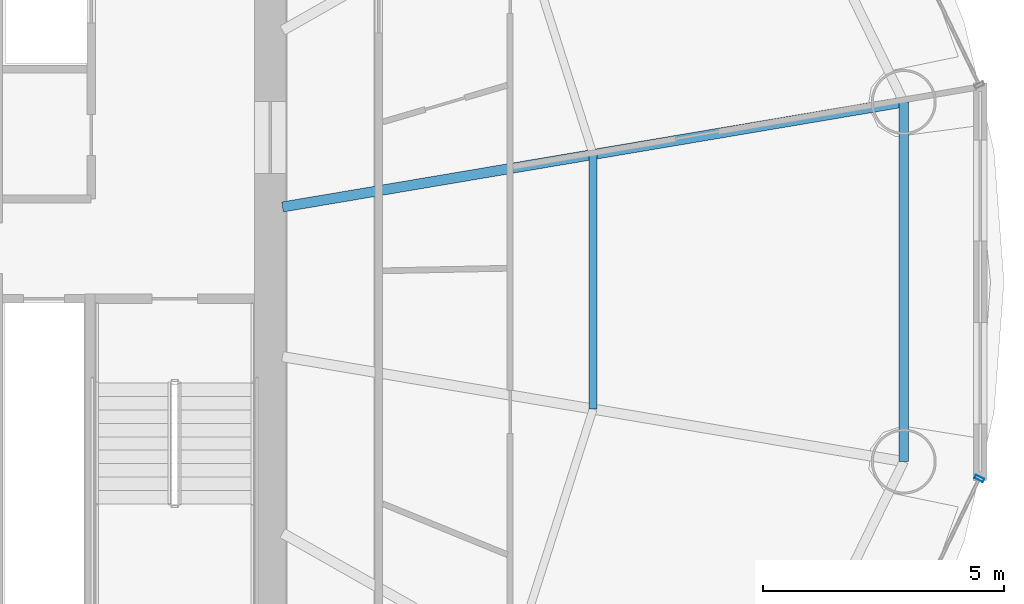
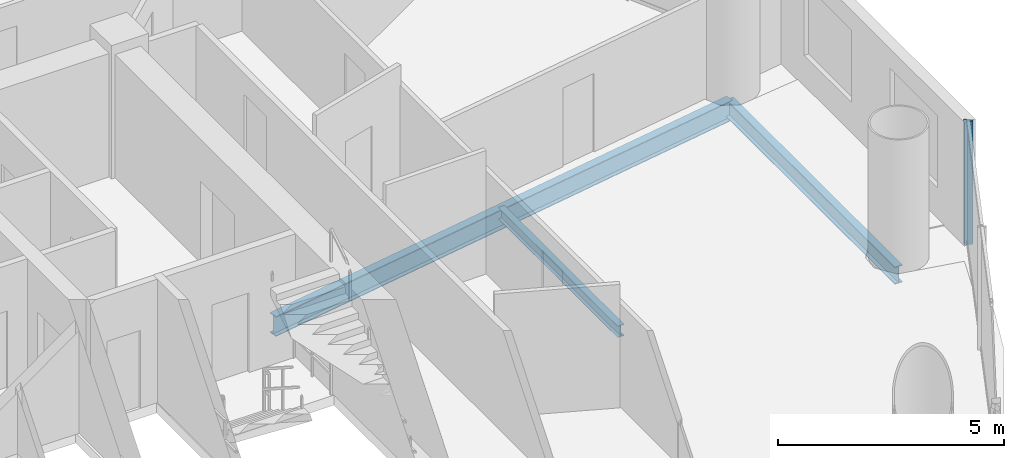
# One storey, part 12 of 27: 3 beams, 1 member, 1 element without a shape of its own.
"""IFC4 building model written with IfcOpenShell, lengths in metres."""

import ifcopenshell
import ifcopenshell.guid

model = None  # the IFC model being written
_history = None  # IfcOwnerHistory: only IFC2X3 demands one
_inside = {}  # id of a spatial element -> (the spatial element, [elements in it])
_under = {}  # id of a project, library or spatial element -> (it, [spatial elements below it])
_declared = {}  # id of a project -> (the project, [libraries it declares])
_typed = {}  # id of a type object -> (the type object, [elements of that type])
_made_of = {}  # id of a material, layer set ... -> (it, [elements and type objects made of it])


def new_model(schema):
    """Start an empty IFC model of exactly this schema.

    Asked for "IFC4X3", IfcOpenShell would pick the latest addendum, in which some entities
    have other attributes; the version numbers below select the first issue.
    IFC2X3 requires an IfcOwnerHistory on every rooted entity: one is made here for all.
    """
    global model, _history
    if schema == "IFC4X3":
        model = ifcopenshell.file(schema_version=(4, 3, 0, 0))
    else:
        model = ifcopenshell.file(schema=schema)
    _inside.clear()
    _under.clear()
    _declared.clear()
    _typed.clear()
    _made_of.clear()
    _history = None
    if model.schema == "IFC2X3":
        org = make("IfcOrganization", Name="unknown")
        user = make(
            "IfcPersonAndOrganization",
            ThePerson=make("IfcPerson", FamilyName="unknown"),
            TheOrganization=org,
        )
        app = make(
            "IfcApplication",
            ApplicationDeveloper=org,
            Version="unknown",
            ApplicationFullName="unknown",
            ApplicationIdentifier="unknown",
        )
        _history = make(
            "IfcOwnerHistory",
            OwningUser=user,
            OwningApplication=app,
            ChangeAction="ADDED",
            CreationDate=0,
        )
    return model


def make(cls, **values):
    """One entity of the class cls with the attributes given. An attribute that is None is left unset."""
    return model.create_entity(
        cls, **{name: value for name, value in values.items() if value is not None}
    )


def rooted(cls, **values):
    """An entity with a GlobalId (a new one), such as an element, a storey or a relation."""
    return make(cls, GlobalId=ifcopenshell.guid.new(), OwnerHistory=_history, **values)


def si_unit(unit_type, name, prefix=None):
    """IfcSIUnit, for example si_unit("LENGTHUNIT", "METRE", prefix="MILLI")."""
    return make("IfcSIUnit", UnitType=unit_type, Prefix=prefix, Name=name)


def assignment(units):
    """IfcUnitAssignment: the units of a project."""
    return None if units is None else make("IfcUnitAssignment", Units=units)


def point(xyz):
    """IfcCartesianPoint."""
    return None if xyz is None else make("IfcCartesianPoint", Coordinates=xyz)


def direction(xyz):
    """IfcDirection."""
    return None if xyz is None else make("IfcDirection", DirectionRatios=xyz)


def frame(location, z_axis=None, x_axis=None):
    """IfcAxis2Placement3D, a coordinate frame: its origin and axes. An axis left out is left unset."""
    return make(
        "IfcAxis2Placement3D",
        Location=point(location),
        Axis=direction(z_axis),
        RefDirection=direction(x_axis),
    )


def frame_2d(location, x_axis=None):
    """IfcAxis2Placement2D, a coordinate frame in the plane: its origin and x axis."""
    return make(
        "IfcAxis2Placement2D", Location=point(location), RefDirection=direction(x_axis)
    )


def origin():
    """The frame at (0, 0, 0) with its axes left unset."""
    return frame((0.0, 0.0, 0.0))


def origin_2d():
    """The frame at (0, 0) in the plane with its x axis left unset."""
    return frame_2d((0.0, 0.0))


def place(relative_to, where):
    """IfcLocalPlacement: puts the frame where relative to a parent placement (None: the world)."""
    return make(
        "IfcLocalPlacement", PlacementRelTo=relative_to, RelativePlacement=where
    )


def context(
    kind, dimensions, precision=None, world=None, true_north=None, identifier=None
):
    """IfcGeometricRepresentationContext, for example the 3D "Model" context."""
    return make(
        "IfcGeometricRepresentationContext",
        ContextIdentifier=identifier,
        ContextType=kind,
        CoordinateSpaceDimension=dimensions,
        Precision=precision,
        WorldCoordinateSystem=world,
        TrueNorth=true_north,
    )


def subcontext(parent, identifier, kind, view, scale=None):
    """IfcGeometricRepresentationSubContext, for example "Body" below "Model"."""
    return make(
        "IfcGeometricRepresentationSubContext",
        ContextIdentifier=identifier,
        ContextType=kind,
        ParentContext=parent,
        TargetScale=scale,
        TargetView=view,
    )


def project(units=None, contexts=None):
    """IfcProject with its units and contexts."""
    return rooted(
        "IfcProject",
        Name="project",
        RepresentationContexts=contexts,
        UnitsInContext=assignment(units),
    )


def spatial(cls, under=None, at=None, **own):
    """A site, building, storey or space (cls), placed at a placement, below another one or the project."""
    s = rooted(cls, ObjectPlacement=at, **own)
    if under is not None:
        _under.setdefault(under.id(), (under, []))[1].append(s)
    return s


def profile(cls, at=None, kind="AREA", **sizes):
    """A parametric profile (cls). Its sizes go by their IFC names, for example OverallWidth=200.0."""
    return make(cls, ProfileType=kind, Position=at, **sizes)


def hollow_rectangle(**sizes):
    """IfcRectangleHollowProfileDef."""
    return profile("IfcRectangleHollowProfileDef", **sizes)


def i_section(**sizes):
    """IfcIShapeProfileDef."""
    return profile("IfcIShapeProfileDef", **sizes)


def extrude(swept, where, along, depth):
    """IfcExtrudedAreaSolid: the profile swept, set in the frame where, extruded along a direction by depth."""
    return make(
        "IfcExtrudedAreaSolid",
        SweptArea=swept,
        Position=where,
        ExtrudedDirection=direction(along),
        Depth=depth,
    )


def shape(context_of_items, identifier, shape_type, items):
    """IfcShapeRepresentation: the items that make up one representation, for example the "Body"."""
    return make(
        "IfcShapeRepresentation",
        ContextOfItems=context_of_items,
        RepresentationIdentifier=identifier,
        RepresentationType=shape_type,
        Items=items,
    )


def source(mapping_origin, context_of_items, identifier, shape_type, items):
    """IfcRepresentationMap: a shape defined once, which mapped items show again and again."""
    return make(
        "IfcRepresentationMap",
        MappingOrigin=mapping_origin,
        MappedRepresentation=shape(context_of_items, identifier, shape_type, items),
    )


def transform(
    local_origin,
    x_axis=None,
    y_axis=None,
    z_axis=None,
    scale=None,
    scale2=None,
    scale3=None,
    uniform=True,
):
    """IfcCartesianTransformationOperator3D, or its non-uniform kind. x_axis, y_axis, z_axis: its Axis1, 2, 3."""
    if uniform:
        return make(
            "IfcCartesianTransformationOperator3D",
            Axis1=direction(x_axis),
            Axis2=direction(y_axis),
            LocalOrigin=point(local_origin),
            Scale=scale,
            Axis3=direction(z_axis),
        )
    return make(
        "IfcCartesianTransformationOperator3DnonUniform",
        Axis1=direction(x_axis),
        Axis2=direction(y_axis),
        LocalOrigin=point(local_origin),
        Scale=scale,
        Axis3=direction(z_axis),
        Scale2=scale2,
        Scale3=scale3,
    )


def mapped(mapping_source, mapping_target):
    """IfcMappedItem: shows the shape of a source again, moved by a transform."""
    return make(
        "IfcMappedItem", MappingSource=mapping_source, MappingTarget=mapping_target
    )


def material(Name=None, Category=None):
    """IfcMaterial."""
    return make("IfcMaterial", Name=Name, Category=Category)


def material_profile(
    of_material, cross_section, Name=None, Category=None, Priority=None
):
    """IfcMaterialProfile: a cross section and its material."""
    return make(
        "IfcMaterialProfile",
        Name=Name,
        Material=of_material,
        Profile=cross_section,
        Priority=Priority,
        Category=Category,
    )


def profile_set(profiles, Name=None, composite=None):
    """IfcMaterialProfileSet."""
    return make(
        "IfcMaterialProfileSet",
        Name=Name,
        MaterialProfiles=profiles,
        CompositeProfile=composite,
    )


def made_of(thing, what):
    """Note that an element or type object is made of a material, layer set ...; save() writes the relation."""
    if what is not None:
        _made_of.setdefault(what.id(), (what, []))[1].append(thing)
    return thing


def type_object(cls, material=None, **own):
    """A type object (cls), such as IfcWallType, which elements share."""
    return made_of(rooted(cls, **own), material)


def element(
    cls,
    number,
    at=None,
    inside=None,
    cuts=None,
    type_object=None,
    material=None,
    context=None,
    identifier="Body",
    shape_type=None,
    held_by="IfcProductDefinitionShape",
    body=None,
    shapes=None,
    **own,
):
    """One element of the class cls, such as IfcWall. Its Tag is "e" and its number.

    at: its placement. inside: the storey or other place that contains it. cuts: it is an
    opening in that element (IfcRelVoidsElement). A single representation is given by context,
    identifier, shape_type and body (its items); several are given by shapes. held_by: the class
    of the entity that holds the representations. save() writes the other relations.
    """
    e = rooted(cls, Tag="e%d" % number, ObjectPlacement=at, **own)
    if body is not None:
        shapes = [shape(context, identifier, shape_type, body)]
    if shapes is not None:
        e.Representation = make(held_by, Representations=shapes)
    if inside is not None:
        _inside.setdefault(inside.id(), (inside, []))[1].append(e)
    if cuts is not None:
        rooted(
            "IfcRelVoidsElement", RelatingBuildingElement=cuts, RelatedOpeningElement=e
        )
    if type_object is not None:
        _typed.setdefault(type_object.id(), (type_object, []))[1].append(e)
    return made_of(e, material)


def aggregate(whole, parts):
    """IfcRelAggregates: a whole, such as a stair, and the parts it consists of."""
    return rooted("IfcRelAggregates", RelatingObject=whole, RelatedObjects=parts)


def save(model, path):
    """Write the relations noted so far, then the file.

    IfcRelAggregates (storeys below a building ...), IfcRelContainedInSpatialStructure (elements
    in a storey), IfcRelDefinesByType, IfcRelAssociatesMaterial and IfcRelDeclares: one each for
    every whole, place, type object, material and project.
    """
    for whole, parts in _under.values():
        aggregate(whole, parts)
    for where, things in _inside.values():
        rooted(
            "IfcRelContainedInSpatialStructure",
            RelatedElements=things,
            RelatingStructure=where,
        )
    for kind, things in _typed.values():
        rooted("IfcRelDefinesByType", RelatedObjects=things, RelatingType=kind)
    for what, things in _made_of.values():
        rooted("IfcRelAssociatesMaterial", RelatedObjects=things, RelatingMaterial=what)
    for by, libraries in _declared.values():
        rooted("IfcRelDeclares", RelatingContext=by, RelatedDefinitions=libraries)
    model.write(path)


model = new_model("IFC4")

# Units and contexts
model_context = context("Model", 3, precision=1e-05, world=origin(), true_north=direction((-0.2419218956, 0.970295726276)))
body_context = subcontext(model_context, "Body", "Model", "MODEL_VIEW")
ifc_project = project(units=[si_unit("LENGTHUNIT", "METRE"), si_unit("AREAUNIT", "SQUARE_METRE"), si_unit("VOLUMEUNIT", "CUBIC_METRE"), si_unit("PLANEANGLEUNIT", "RADIAN"), si_unit("MASSUNIT", "GRAM", prefix="KILO")], contexts=[model_context])

# Site, building, storey
site_placement = place(None, origin())
site = spatial("IfcSite", under=ifc_project, at=site_placement, CompositionType="ELEMENT")
building_placement = place(site_placement, origin())
building = spatial("IfcBuilding", under=site, at=building_placement, Name="Cobrevalo Terracotta Tower", CompositionType="ELEMENT")
storey_placement = place(building_placement, frame((0.0, 0.0, 153.39990234375)))
storey = spatial("IfcBuildingStorey", under=building, at=storey_placement, Name="L40", CompositionType="ELEMENT", Elevation=153.39990234375)

# Beams
ifc_material_1 = material(Name="Steel S355", Category="steel")
ifc_material_profile_1 = material_profile(ifc_material_1, i_section(OverallWidth=0.2109375, OverallDepth=0.5390625, WebThickness=0.01171875, FlangeThickness=0.018798828125, at=origin_2d()), Name="W 530x109")
ifc_profile_set_1 = profile_set([ifc_material_profile_1], Name="Steel S355")
beam_type_1 = type_object("IfcBeamType", Name="Structural Beam W 530x109 (Steel S355)", PredefinedType="BEAM", material=ifc_profile_set_1)
beam_1_placement = place(storey_placement, frame((60.11669921875, 30.535888671875, -0.539306640625), z_axis=(-0.986032794282, -0.166551279191, 0.0), x_axis=(0.166551279191, -0.986032794282, 0.0)))
element("IfcBeam", 1, at=beam_1_placement, inside=storey, type_object=beam_type_1, Name="L40 radial floor girder 01", PredefinedType="BEAM", context=body_context, shape_type="SweptSolid", body=[
    extrude(i_section(OverallWidth=0.2109375, OverallDepth=0.5390625, WebThickness=0.01171875, FlangeThickness=0.018798828125, at=origin_2d()), origin(), (0.0, 0.0, 1.0), 13.094482421875),
])
ifc_material_profile_2 = material_profile(ifc_material_1, i_section(OverallWidth=0.1650390625, OverallDepth=0.31005859375, WebThickness=0.005859375, FlangeThickness=0.009765625, at=origin_2d()), Name="W 310x38.7")
ifc_profile_set_2 = profile_set([ifc_material_profile_2], Name="Steel S355")
beam_type_2 = type_object("IfcBeamType", Name="Structural Joist W 310x38.7 (Steel S355)", PredefinedType="JOIST", material=ifc_profile_set_2)
beam_2_placement = place(storey_placement, frame((53.660888671875, 24.154541015625, -0.4248046875), z_axis=(0.0, 1.0, 0.0), x_axis=(-1.0, 0.0, 0.0)))
element("IfcBeam", 2, at=beam_2_placement, inside=storey, type_object=beam_type_2, Name="L40 circumferential secondary floor joist 16", PredefinedType="JOIST", context=body_context, shape_type="SweptSolid", body=[
    extrude(i_section(OverallWidth=0.1650390625, OverallDepth=0.31005859375, WebThickness=0.005859375, FlangeThickness=0.009765625, at=origin_2d()), origin(), (0.0, 0.0, 1.0), 5.291015625),
])
ifc_material_profile_3 = material_profile(ifc_material_1, i_section(OverallWidth=0.194091796875, OverallDepth=0.468994140625, WebThickness=0.011474609375, FlangeThickness=0.0205078125, at=origin_2d()), Name="W 460x106")
ifc_profile_set_3 = profile_set([ifc_material_profile_3], Name="Steel S355")
beam_type_3 = type_object("IfcBeamType", Name="Structural Spandrel W 460x106 (Steel S355)", PredefinedType="SPANDREL", material=ifc_profile_set_3)
beam_3_placement = place(storey_placement, frame((60.11669921875, 23.06396484375, -0.50439453125), z_axis=(0.0, 1.0, 0.0), x_axis=(-1.0, 0.0, 0.0)))
element("IfcBeam", 3, at=beam_3_placement, inside=storey, type_object=beam_type_3, Name="L40 perimeter ring spandrel 16", PredefinedType="SPANDREL", context=body_context, shape_type="SweptSolid", body=[
    extrude(i_section(OverallWidth=0.194091796875, OverallDepth=0.468994140625, WebThickness=0.011474609375, FlangeThickness=0.0205078125, at=origin_2d()), origin(), (0.0, 0.0, 1.0), 7.471923828125),
])

# Curtain wall, member
ifc_material_2 = material(Name="Anodized aluminium", Category="aluminium")
curtain_wall_type = type_object("IfcCurtainWallType", Name="Mid-tower high-wind unitised curtain wall CW-U2", PredefinedType="NOTDEFINED", material=ifc_material_2)
curtain_wall_placement = place(storey_placement, origin())
curtain_wall = element("IfcCurtainWall", 4, at=curtain_wall_placement, inside=storey, type_object=curtain_wall_type, Name="L40 curtain wall CW-L40-S15", PredefinedType="NOTDEFINED")
ifc_material_profile_4 = material_profile(ifc_material_2, hollow_rectangle(XDim=0.074951171875, YDim=0.199951171875, WallThickness=0.0048828125, at=origin_2d()), Name="CWM 75x200")
ifc_profile_set_4 = profile_set([ifc_material_profile_4], Name="Anodized aluminium")
member_type = type_object("IfcMemberType", Name="Lower/mid tower unitised mullion 75x200", PredefinedType="MULLION", material=ifc_profile_set_4)
shared_shape = source(origin(), body_context, "Body", "SweptSolid", [
    extrude(hollow_rectangle(XDim=0.074951171875, YDim=0.199951171875, WallThickness=0.0048828125, at=origin_2d()), origin(), (0.0, 0.0, 1.0), 3.330078125),
])
member_placement = place(storey_placement, frame((61.688232421875, 22.7119140625, 0.0), z_axis=(0.0, 0.0, 1.0), x_axis=(0.434209440271, 0.900811945957, 0.0)))
member = element("IfcMember", 5, at=member_placement, type_object=member_type, Name="CW-L40-S15 vertical mullion 03", PredefinedType="MULLION", context=body_context, shape_type="MappedRepresentation", body=[
    mapped(shared_shape, transform((0.0, 0.0, 0.0), scale=1.0)),
])
aggregate(curtain_wall, [member])

save(model, "model.ifc")
